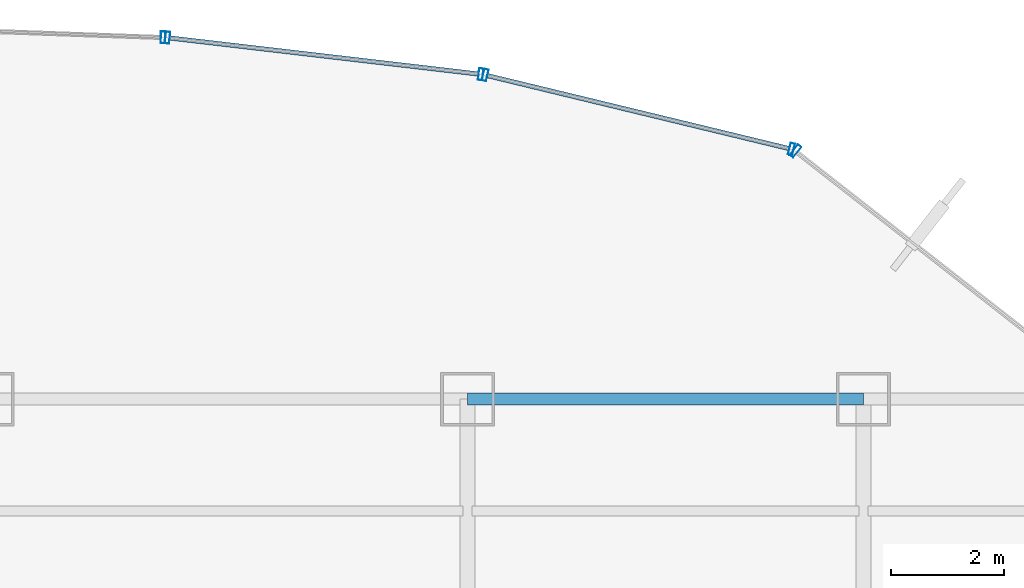
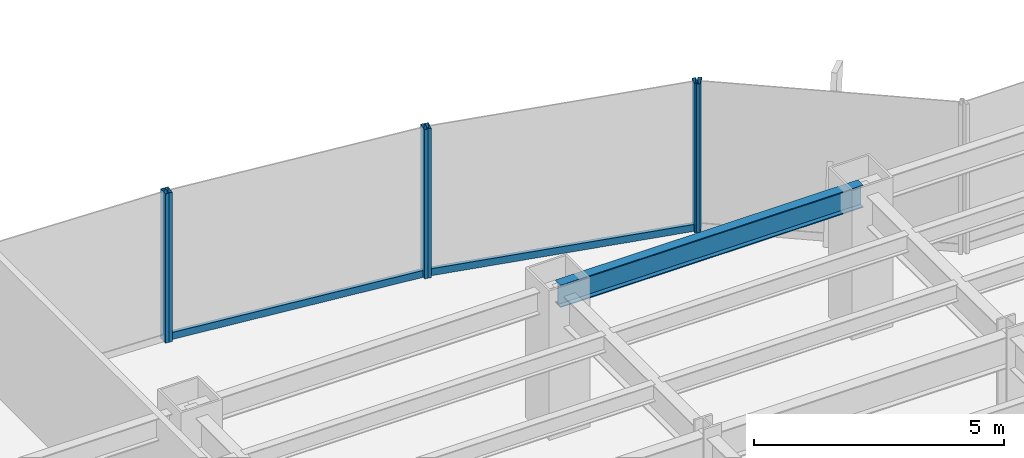
# One storey, part 15 of 23: 8 members, 1 beam, 4 elements without a shape of their own.
"""IFC4 building model written with IfcOpenShell, lengths in metres."""

from ifc_helpers import new_model, si_unit, derived_unit, direction, frame, origin, origin_2d, place, context, subcontext, project, spatial, hollow_rectangle, i_section, extrude, source, transform, mapped, material, material_profile, profile_set, type_object, element, aggregate, save


model = new_model("IFC4")

# Units and contexts
model_context = context("Model", 3, precision=1e-05, world=origin(), true_north=direction((0.0, 1.0)))
body_context = subcontext(model_context, "Body", "Model", "MODEL_VIEW")
ifc_project = project(units=[si_unit("LENGTHUNIT", "METRE"), si_unit("AREAUNIT", "SQUARE_METRE"), si_unit("VOLUMEUNIT", "CUBIC_METRE"), si_unit("PLANEANGLEUNIT", "RADIAN"), si_unit("MASSUNIT", "GRAM", prefix="KILO"), derived_unit("THERMALTRANSMITTANCEUNIT", [(si_unit("POWERUNIT", "WATT"), 1), (si_unit("LENGTHUNIT", "METRE"), -2), (si_unit("THERMODYNAMICTEMPERATUREUNIT", "KELVIN"), -1)])], contexts=[model_context])

# Site, building, storey
site_placement = place(None, origin())
site = spatial("IfcSite", under=ifc_project, at=site_placement, CompositionType="ELEMENT")
building_placement = place(site_placement, origin())
building = spatial("IfcBuilding", under=site, at=building_placement, Name="Skarnbrae Concourse Arena and Tower", CompositionType="ELEMENT")
storey_placement = place(building_placement, frame((0.0, 0.0, 54.39990234375)))
storey = spatial("IfcBuildingStorey", under=building, at=storey_placement, Name="L12", CompositionType="ELEMENT", Elevation=54.39990234375)

# Beam
ifc_material_1 = material(Name="Steel CSA G40.21 350W", Category="steel")
ifc_material_profile_1 = material_profile(ifc_material_1, i_section(OverallWidth=0.214111328125, OverallDepth=0.549072265625, WebThickness=0.0146484375, FlangeThickness=0.023681640625, at=origin_2d()), Name="W530X138")
ifc_profile_set_1 = profile_set([ifc_material_profile_1], Name="Steel CSA G40.21 350W")
beam_type = type_object("IfcBeamType", Name="BM-SPAN-W530X138", PredefinedType="SPANDREL", material=ifc_profile_set_1)
shared_shape_1 = source(origin(), body_context, "Body", "SweptSolid", [
    extrude(i_section(OverallWidth=0.214111328125, OverallDepth=0.549072265625, WebThickness=0.0146484375, FlangeThickness=0.023681640625, at=origin_2d()), origin(), (0.0, 0.0, 1.0), 7.0),
])
beam_placement = place(storey_placement, frame((42.0, 40.39990234375, 3.12548828125), z_axis=(1.0, 0.0, 0.0), x_axis=(0.0, 1.0, 0.0)))
element("IfcBeam", 1, at=beam_placement, inside=storey, type_object=beam_type, Name="L12 Perimeter spandrel Y40.4-6", PredefinedType="SPANDREL", context=body_context, shape_type="MappedRepresentation", body=[
    mapped(shared_shape_1, transform((0.0, 0.0, 0.0))),
])

# Curtain wall, member
ifc_material_2 = material(Name="Bronze anodised aluminium 6063-T6", Category="aluminium")
curtain_wall_type_1 = type_object("IfcCurtainWallType", Name="CW-SYS-02-LOWZONE", PredefinedType="USERDEFINED", material=ifc_material_2)
curtain_wall_1_placement = place(storey_placement, origin())
curtain_wall_1 = element("IfcCurtainWall", 2, at=curtain_wall_1_placement, inside=storey, type_object=curtain_wall_type_1, Name="L12 Unitised curtain wall CW-L12-E08", ObjectType="UNITISED CURTAIN WALL", PredefinedType="USERDEFINED")
ifc_material_profile_2 = material_profile(ifc_material_2, hollow_rectangle(XDim=0.080078125, YDim=0.239990234375, WallThickness=0.0048828125, at=origin_2d()), Name="ALU-MULL-80X240")
ifc_profile_set_2 = profile_set([ifc_material_profile_2], Name="Bronze anodised aluminium 6063-T6")
member_type_1 = type_object("IfcMemberType", Name="CWM-CW-02", PredefinedType="MULLION", material=ifc_profile_set_2)
shared_shape_2 = source(origin(), body_context, "Body", "SweptSolid", [
    extrude(hollow_rectangle(XDim=0.080078125, YDim=0.239990234375, WallThickness=0.0048828125, at=origin_2d()), origin(), (0.0, 0.0, 1.0), 3.650146484375),
])
member_1_placement = place(storey_placement, frame((47.7978515625, 44.787109375, 0.0), z_axis=(0.0, 0.0, 1.0), x_axis=(-0.787651726054, 0.616120733658, 0.0)))
member_1 = element("IfcMember", 3, at=member_1_placement, type_object=member_type_1, Name="CW-L12-E08 Mullion 2", PredefinedType="MULLION", context=body_context, shape_type="MappedRepresentation", body=[
    mapped(shared_shape_2, transform((0.0, 0.0, 0.0))),
])
aggregate(curtain_wall_1, [member_1])

# Curtain wall, members
curtain_wall_type_2 = type_object("IfcCurtainWallType", Name="CW-SYS-03-PORTAL", PredefinedType="USERDEFINED", material=ifc_material_2)
curtain_wall_2_placement = place(storey_placement, origin())
curtain_wall_2 = element("IfcCurtainWall", 4, at=curtain_wall_2_placement, inside=storey, type_object=curtain_wall_type_2, Name="L12 Unitised curtain wall CW-L12-E09", ObjectType="UNITISED CURTAIN WALL", PredefinedType="USERDEFINED")
ifc_material_profile_3 = material_profile(ifc_material_2, hollow_rectangle(XDim=0.080078125, YDim=0.2099609375, WallThickness=0.00439453125, at=origin_2d()), Name="ALU-MULL-80X210")
ifc_profile_set_3 = profile_set([ifc_material_profile_3], Name="Bronze anodised aluminium 6063-T6")
member_type_2 = type_object("IfcMemberType", Name="CWM-CW-03", PredefinedType="MULLION", material=ifc_profile_set_3)
shared_shape_3 = source(origin(), body_context, "Body", "SweptSolid", [
    extrude(hollow_rectangle(XDim=0.080078125, YDim=0.2099609375, WallThickness=0.00439453125, at=origin_2d()), origin(), (0.0, 0.0, 1.0), 3.650146484375),
])
member_2_placement = place(storey_placement, frame((47.727294921875, 44.821044921875, 0.0), z_axis=(0.0, 0.0, 1.0), x_axis=(-0.971973721569, 0.235089524607, 0.0)))
member_2 = element("IfcMember", 5, at=member_2_placement, type_object=member_type_2, Name="CW-L12-E09 Mullion 1", PredefinedType="MULLION", context=body_context, shape_type="MappedRepresentation", body=[
    mapped(shared_shape_3, transform((0.0, 0.0, 0.0))),
])
member_3_placement = place(storey_placement, frame((42.311279296875, 46.131103515625, 0.0), z_axis=(0.0, 0.0, 1.0), x_axis=(-0.971973721569, 0.235089524607, 0.0)))
member_3 = element("IfcMember", 6, at=member_3_placement, type_object=member_type_2, Name="CW-L12-E09 Mullion 2", PredefinedType="MULLION", context=body_context, shape_type="MappedRepresentation", body=[
    mapped(shared_shape_3, transform((0.0, 0.0, 0.0))),
])

curtain_wall_3_placement = place(storey_placement, origin())
curtain_wall_3 = element("IfcCurtainWall", 7, at=curtain_wall_3_placement, inside=storey, type_object=curtain_wall_type_2, Name="L12 Unitised curtain wall CW-L12-E10", ObjectType="UNITISED CURTAIN WALL", PredefinedType="USERDEFINED")
member_4_placement = place(storey_placement, frame((42.232666015625, 46.14501953125, 0.0), z_axis=(0.0, 0.0, 1.0), x_axis=(-0.99324457001, 0.116039752435, 0.0)))
member_4 = element("IfcMember", 8, at=member_4_placement, type_object=member_type_2, Name="CW-L12-E10 Mullion 1", PredefinedType="MULLION", context=body_context, shape_type="MappedRepresentation", body=[
    mapped(shared_shape_3, transform((0.0, 0.0, 0.0))),
])
member_5_placement = place(storey_placement, frame((36.693603515625, 46.792236328125, 0.0), z_axis=(0.0, 0.0, 1.0), x_axis=(-0.99324457001, 0.116039752435, 0.0)))
member_5 = element("IfcMember", 9, at=member_5_placement, type_object=member_type_2, Name="CW-L12-E10 Mullion 2", PredefinedType="MULLION", context=body_context, shape_type="MappedRepresentation", body=[
    mapped(shared_shape_3, transform((0.0, 0.0, 0.0))),
])

# Curtain wall, member
curtain_wall_4_placement = place(storey_placement, origin())
curtain_wall_4 = element("IfcCurtainWall", 10, at=curtain_wall_4_placement, inside=storey, type_object=curtain_wall_type_2, Name="L12 Unitised curtain wall CW-L12-E11", ObjectType="UNITISED CURTAIN WALL", PredefinedType="USERDEFINED")
member_6_placement = place(storey_placement, frame((36.614013671875, 46.79833984375, 0.0), z_axis=(0.0, 0.0, 1.0), x_axis=(-0.999355425188, 0.035898943527, 0.0)))
member_6 = element("IfcMember", 11, at=member_6_placement, type_object=member_type_2, Name="CW-L12-E11 Mullion 1", PredefinedType="MULLION", context=body_context, shape_type="MappedRepresentation", body=[
    mapped(shared_shape_3, transform((0.0, 0.0, 0.0))),
])
aggregate(curtain_wall_4, [member_6])

# Member
ifc_material_profile_4 = material_profile(ifc_material_2, hollow_rectangle(XDim=0.080078125, YDim=0.169921875, WallThickness=0.00439453125, at=origin_2d()), Name="ALU-TRAN-80X170")
ifc_profile_set_4 = profile_set([ifc_material_profile_4], Name="Bronze anodised aluminium 6063-T6")
member_type_3 = type_object("IfcMemberType", Name="CWT-CW-03", PredefinedType="USERDEFINED", material=ifc_profile_set_4)
shared_shape_4 = source(origin(), body_context, "Body", "SweptSolid", [
    extrude(hollow_rectangle(XDim=0.080078125, YDim=0.169921875, WallThickness=0.00439453125, at=origin_2d()), origin(), (0.0, 0.0, 1.0), 5.4921875),
])
member_7_placement = place(storey_placement, frame((47.6884765625, 44.83056640625, 0.085205078125), z_axis=(-0.971980728004, 0.235060554728, 0.0), x_axis=(-0.235060554728, -0.971980728004, 0.0)))
member_7 = element("IfcMember", 12, at=member_7_placement, type_object=member_type_3, Name="CW-L12-E09 Transom 1", ObjectType="TRANSOM", PredefinedType="USERDEFINED", context=body_context, shape_type="MappedRepresentation", body=[
    mapped(shared_shape_4, transform((0.0, 0.0, 0.0))),
])

aggregate(curtain_wall_2, [member_2, member_3, member_7])

shared_shape_5 = source(origin(), body_context, "Body", "SweptSolid", [
    extrude(hollow_rectangle(XDim=0.080078125, YDim=0.169921875, WallThickness=0.00439453125, at=origin_2d()), origin(), (0.0, 0.0, 1.0), 5.49658203125),
])
member_8_placement = place(storey_placement, frame((42.19287109375, 46.14990234375, 0.085205078125), z_axis=(-0.993247281455, 0.116016541417, 0.0), x_axis=(-0.116016541417, -0.993247281455, 0.0)))
member_8 = element("IfcMember", 13, at=member_8_placement, type_object=member_type_3, Name="CW-L12-E10 Transom 1", ObjectType="TRANSOM", PredefinedType="USERDEFINED", context=body_context, shape_type="MappedRepresentation", body=[
    mapped(shared_shape_5, transform((0.0, 0.0, 0.0))),
])

aggregate(curtain_wall_3, [member_4, member_5, member_8])

save(model, "model.ifc")
